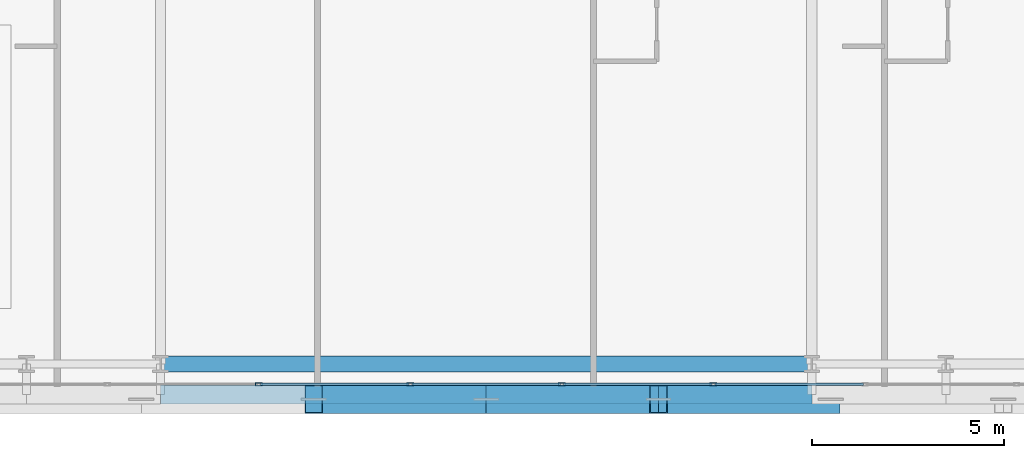
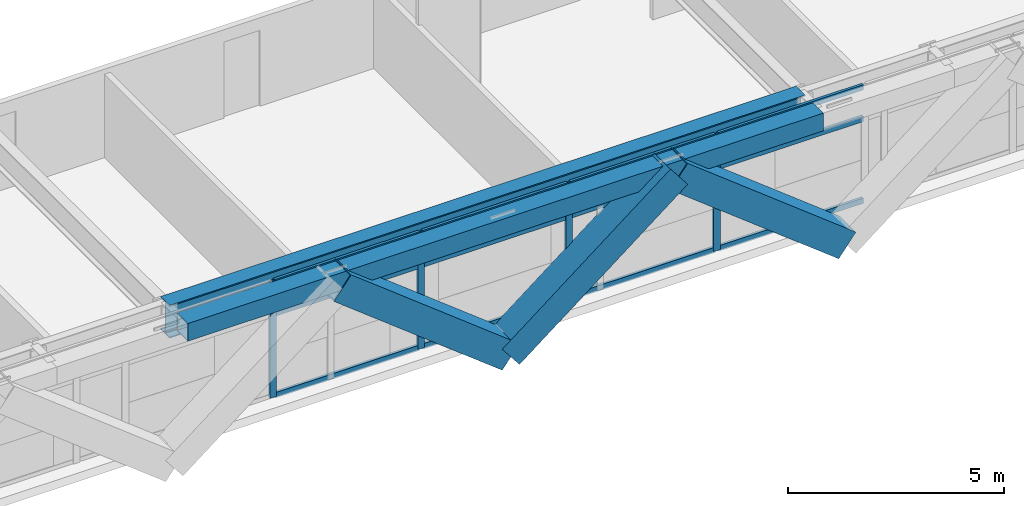
# One storey, part 5 of 36: 19 members, 2 beams, 1 element without a shape of its own.
"""IFC4 building model written with IfcOpenShell, lengths in metres."""

from ifc_helpers import new_model, si_unit, direction, frame, origin, origin_2d, place, context, subcontext, project, spatial, hollow_rectangle, i_section, extrude, source, transform, mapped, material, layer, layer_set, material_profile, profile_set, type_object, element, aggregate, save


model = new_model("IFC4")

# Units and contexts
model_context = context("Model", 3, precision=1e-05, world=origin(), true_north=direction((0.0, 1.0)))
body_context = subcontext(model_context, "Body", "Model", "MODEL_VIEW")
ifc_project = project(units=[si_unit("LENGTHUNIT", "METRE"), si_unit("AREAUNIT", "SQUARE_METRE"), si_unit("VOLUMEUNIT", "CUBIC_METRE"), si_unit("PLANEANGLEUNIT", "RADIAN"), si_unit("MASSUNIT", "GRAM", prefix="KILO")], contexts=[model_context])

# Site, building, storey
site_placement = place(None, origin())
site = spatial("IfcSite", under=ifc_project, at=site_placement, CompositionType="ELEMENT")
building_placement = place(site_placement, origin())
building = spatial("IfcBuilding", under=site, at=building_placement, Name="Ocotamira Hotel", CompositionType="ELEMENT")
storey_placement = place(building_placement, frame((0.0, 0.0, 147.60009765625)))
storey = spatial("IfcBuildingStorey", under=building, at=storey_placement, Name="L37", CompositionType="ELEMENT", Elevation=147.60009765625)

# Beams
ifc_material_1 = material(Name="Steel ASTM A992 Grade 50", Category="steel")
ifc_material_profile_1 = material_profile(ifc_material_1, i_section(OverallWidth=0.41796875, OverallDepth=0.927001953125, WebThickness=0.019287109375, FlangeThickness=0.031982421875, FilletRadius=0.02392578125, at=origin_2d()), Name="W36X231")
ifc_profile_set_1 = profile_set([ifc_material_profile_1], Name="Steel ASTM A992 Grade 50")
beam_type_1 = type_object("IfcBeamType", Name="BM-GIRD-W36X231", PredefinedType="BEAM", material=ifc_profile_set_1)
shared_shape_1 = source(origin(), body_context, "Body", "SweptSolid", [
    extrude(i_section(OverallWidth=0.41796875, OverallDepth=0.927001953125, WebThickness=0.019287109375, FlangeThickness=0.031982421875, FilletRadius=0.02392578125, at=origin_2d()), origin(), (0.0, 0.0, 1.0), 17.0),
])
beam_1_placement = place(storey_placement, frame((23.5, 2.949951171875, 2.81640625), z_axis=(1.0, 0.0, 0.0), x_axis=(0.0, 1.0, 0.0)))
element("IfcBeam", 1, at=beam_1_placement, inside=storey, type_object=beam_type_1, Name="L37 Girder Y2.95 X23.5-40.5", PredefinedType="BEAM", context=body_context, shape_type="MappedRepresentation", body=[
    mapped(shared_shape_1, transform((0.0, 0.0, 0.0), scale=1.0)),
])
ifc_material_2 = material(Name="Steel ASTM A500 Grade C", Category="steel")
ifc_material_profile_2 = material_profile(ifc_material_2, hollow_rectangle(XDim=0.5, YDim=0.5, WallThickness=0.02001953125, at=origin_2d()), Name="HSS500X500X20")
ifc_profile_set_2 = profile_set([ifc_material_profile_2], Name="Steel ASTM A500 Grade C")
beam_type_2 = type_object("IfcBeamType", Name="BM-SPAN-HSS500", PredefinedType="USERDEFINED", material=ifc_profile_set_2)
shared_shape_2 = source(origin(), body_context, "Body", "SweptSolid", [
    extrude(hollow_rectangle(XDim=0.5, YDim=0.5, WallThickness=0.02001953125, at=origin_2d()), origin(), (0.0, 0.0, 1.0), 17.0),
])
beam_2_placement = place(storey_placement, frame((23.5, 2.14990234375, 3.02978515625), z_axis=(1.0, 0.0, 0.0), x_axis=(0.0, 1.0, 0.0)))
element("IfcBeam", 2, at=beam_2_placement, inside=storey, type_object=beam_type_2, Name="L37 Edge Spandrel S X23.5-40.5", ObjectType="SPANDREL", PredefinedType="USERDEFINED", context=body_context, shape_type="MappedRepresentation", body=[
    mapped(shared_shape_2, transform((0.0, 0.0, 0.0), scale=1.0)),
])

# Members
ifc_material_3 = material(Name="Pale-metal coated steel ASTM A913 Grade 65", Category="steel")
ifc_material_profile_3 = material_profile(ifc_material_3, hollow_rectangle(XDim=0.75, YDim=0.75, WallThickness=0.028076171875, at=origin_2d()), Name="BOX750X750X28")
ifc_profile_set_3 = profile_set([ifc_material_profile_3], Name="Pale-metal coated steel ASTM A913 Grade 65")
member_type_1 = type_object("IfcMemberType", Name="MEM-EXO-BOX750", PredefinedType="BRACE", material=ifc_profile_set_3)
shared_shape_3 = source(origin(), body_context, "Body", "SweptSolid", [
    extrude(hollow_rectangle(XDim=0.75, YDim=0.75, WallThickness=0.028076171875, at=origin_2d()), origin(), (0.0, 0.0, 1.0), 5.713134765625),
])
for number, where, z_axis, x_axis, name in (
    (3, (32.0, 2.030029296875, -0.489990234375), (-0.787671799809, 0.0, 0.616095070412), (0.0, -1.0, 0.0), "L37 Exoskeleton Diagrid S1.2"),
    (4, (32.0, 2.030029296875, -0.489990234375), (0.787671799809, 0.0, 0.616095070412), (0.0, 1.0, 0.0), "L37 Exoskeleton Diagrid S2.1"),
    (5, (41.0, 2.030029296875, -0.489990234375), (-0.787671799809, 0.0, 0.616095070412), (0.0, -1.0, 0.0), "L37 Exoskeleton Diagrid S2.2"),
):
    element("IfcMember", number, at=place(storey_placement, frame(where, z_axis=z_axis, x_axis=x_axis)), inside=storey, type_object=member_type_1, Name=name, PredefinedType="BRACE", context=body_context, shape_type="MappedRepresentation", body=[
        mapped(shared_shape_3, transform((0.0, 0.0, 0.0), scale=1.0)),
    ])

# Curtain wall, members
ifc_material_4 = material(Name="Anodised pale-metal aluminium and solar glass", Category="aluminium")
ifc_layer = layer(ifc_material_4, 0.179931640625)
ifc_layer_set = layer_set([ifc_layer], Name="Anodised pale-metal aluminium and solar glass")
curtain_wall_type = type_object("IfcCurtainWallType", Name="CW-SYS3-Z2", PredefinedType="NOTDEFINED", material=ifc_layer_set)
curtain_wall_placement = place(storey_placement, origin())
curtain_wall = element("IfcCurtainWall", 6, at=curtain_wall_placement, inside=storey, type_object=curtain_wall_type, Name="L37 Curtain Wall CW-3 CW-L37-S1", PredefinedType="NOTDEFINED")
ifc_material_5 = material(Name="Anodised pale-metal aluminium 6063-T6", Category="aluminium")
ifc_material_profile_4 = material_profile(ifc_material_5, hollow_rectangle(XDim=0.074951171875, YDim=0.14990234375, WallThickness=0.006103515625, at=origin_2d()), Name="HSS150X75X6")
ifc_profile_set_4 = profile_set([ifc_material_profile_4], Name="Anodised pale-metal aluminium 6063-T6")
member_type_2 = type_object("IfcMemberType", Name="CWT-150X75", PredefinedType="USERDEFINED", material=ifc_profile_set_4)
shared_shape_4 = source(origin(), body_context, "Body", "SweptSolid", [
    extrude(hollow_rectangle(XDim=0.074951171875, YDim=0.14990234375, WallThickness=0.006103515625, at=origin_2d()), origin(), (0.0, 0.0, 1.0), 3.87548828125),
])
member_1_placement = place(storey_placement, frame((26.106689453125, 2.419921875, 0.037353515625), z_axis=(1.0, 0.0, 0.0), x_axis=(0.0, 1.0, 0.0)))
member_1 = element("IfcMember", 7, at=member_1_placement, type_object=member_type_2, Name="CW-3 transom 4.1", ObjectType="TRANSOM", PredefinedType="USERDEFINED", context=body_context, shape_type="MappedRepresentation", body=[
    mapped(shared_shape_4, transform((0.0, 0.0, 0.0), scale=1.0)),
])
member_2_placement = place(storey_placement, frame((26.106689453125, 2.419921875, 2.349853515625), z_axis=(1.0, 0.0, 0.0), x_axis=(0.0, 1.0, 0.0)))
member_2 = element("IfcMember", 8, at=member_2_placement, type_object=member_type_2, Name="CW-3 transom 4.2", ObjectType="TRANSOM", PredefinedType="USERDEFINED", context=body_context, shape_type="MappedRepresentation", body=[
    mapped(shared_shape_4, transform((0.0, 0.0, 0.0), scale=1.0)),
])
member_3_placement = place(storey_placement, frame((26.106689453125, 2.419921875, 3.242431640625), z_axis=(1.0, 0.0, 0.0), x_axis=(0.0, 1.0, 0.0)))
member_3 = element("IfcMember", 9, at=member_3_placement, type_object=member_type_2, Name="CW-3 transom 4.3", ObjectType="TRANSOM", PredefinedType="USERDEFINED", context=body_context, shape_type="MappedRepresentation", body=[
    mapped(shared_shape_4, transform((0.0, 0.0, 0.0), scale=1.0)),
])
member_4_placement = place(storey_placement, frame((30.062255859375, 2.419921875, 0.037353515625), z_axis=(1.0, 0.0, 0.0), x_axis=(0.0, 1.0, 0.0)))
member_4 = element("IfcMember", 10, at=member_4_placement, type_object=member_type_2, Name="CW-3 transom 5.1", ObjectType="TRANSOM", PredefinedType="USERDEFINED", context=body_context, shape_type="MappedRepresentation", body=[
    mapped(shared_shape_4, transform((0.0, 0.0, 0.0), scale=1.0)),
])
member_5_placement = place(storey_placement, frame((30.062255859375, 2.419921875, 2.349853515625), z_axis=(1.0, 0.0, 0.0), x_axis=(0.0, 1.0, 0.0)))
member_5 = element("IfcMember", 11, at=member_5_placement, type_object=member_type_2, Name="CW-3 transom 5.2", ObjectType="TRANSOM", PredefinedType="USERDEFINED", context=body_context, shape_type="MappedRepresentation", body=[
    mapped(shared_shape_4, transform((0.0, 0.0, 0.0), scale=1.0)),
])
member_6_placement = place(storey_placement, frame((30.062255859375, 2.419921875, 3.242431640625), z_axis=(1.0, 0.0, 0.0), x_axis=(0.0, 1.0, 0.0)))
member_6 = element("IfcMember", 12, at=member_6_placement, type_object=member_type_2, Name="CW-3 transom 5.3", ObjectType="TRANSOM", PredefinedType="USERDEFINED", context=body_context, shape_type="MappedRepresentation", body=[
    mapped(shared_shape_4, transform((0.0, 0.0, 0.0), scale=1.0)),
])
member_7_placement = place(storey_placement, frame((34.017822265625, 2.419921875, 0.037353515625), z_axis=(1.0, 0.0, 0.0), x_axis=(0.0, 1.0, 0.0)))
member_7 = element("IfcMember", 13, at=member_7_placement, type_object=member_type_2, Name="CW-3 transom 6.1", ObjectType="TRANSOM", PredefinedType="USERDEFINED", context=body_context, shape_type="MappedRepresentation", body=[
    mapped(shared_shape_4, transform((0.0, 0.0, 0.0), scale=1.0)),
])
member_8_placement = place(storey_placement, frame((34.017822265625, 2.419921875, 2.349853515625), z_axis=(1.0, 0.0, 0.0), x_axis=(0.0, 1.0, 0.0)))
member_8 = element("IfcMember", 14, at=member_8_placement, type_object=member_type_2, Name="CW-3 transom 6.2", ObjectType="TRANSOM", PredefinedType="USERDEFINED", context=body_context, shape_type="MappedRepresentation", body=[
    mapped(shared_shape_4, transform((0.0, 0.0, 0.0), scale=1.0)),
])
member_9_placement = place(storey_placement, frame((34.017822265625, 2.419921875, 3.242431640625), z_axis=(1.0, 0.0, 0.0), x_axis=(0.0, 1.0, 0.0)))
member_9 = element("IfcMember", 15, at=member_9_placement, type_object=member_type_2, Name="CW-3 transom 6.3", ObjectType="TRANSOM", PredefinedType="USERDEFINED", context=body_context, shape_type="MappedRepresentation", body=[
    mapped(shared_shape_4, transform((0.0, 0.0, 0.0), scale=1.0)),
])
member_10_placement = place(storey_placement, frame((37.973388671875, 2.419921875, 0.037353515625), z_axis=(1.0, 0.0, 0.0), x_axis=(0.0, 1.0, 0.0)))
member_10 = element("IfcMember", 16, at=member_10_placement, type_object=member_type_2, Name="CW-3 transom 7.1", ObjectType="TRANSOM", PredefinedType="USERDEFINED", context=body_context, shape_type="MappedRepresentation", body=[
    mapped(shared_shape_4, transform((0.0, 0.0, 0.0), scale=1.0)),
])
member_11_placement = place(storey_placement, frame((37.973388671875, 2.419921875, 2.349853515625), z_axis=(1.0, 0.0, 0.0), x_axis=(0.0, 1.0, 0.0)))
member_11 = element("IfcMember", 17, at=member_11_placement, type_object=member_type_2, Name="CW-3 transom 7.2", ObjectType="TRANSOM", PredefinedType="USERDEFINED", context=body_context, shape_type="MappedRepresentation", body=[
    mapped(shared_shape_4, transform((0.0, 0.0, 0.0), scale=1.0)),
])
member_12_placement = place(storey_placement, frame((37.973388671875, 2.419921875, 3.242431640625), z_axis=(1.0, 0.0, 0.0), x_axis=(0.0, 1.0, 0.0)))
member_12 = element("IfcMember", 18, at=member_12_placement, type_object=member_type_2, Name="CW-3 transom 7.3", ObjectType="TRANSOM", PredefinedType="USERDEFINED", context=body_context, shape_type="MappedRepresentation", body=[
    mapped(shared_shape_4, transform((0.0, 0.0, 0.0), scale=1.0)),
])
ifc_material_profile_5 = material_profile(ifc_material_5, hollow_rectangle(XDim=0.080078125, YDim=0.179931640625, WallThickness=0.006103515625, at=origin_2d()), Name="HSS180X80X6")
ifc_profile_set_5 = profile_set([ifc_material_profile_5], Name="Anodised pale-metal aluminium 6063-T6")
member_type_3 = type_object("IfcMemberType", Name="CWM-180X75", PredefinedType="MULLION", material=ifc_profile_set_5)
shared_shape_5 = source(origin(), body_context, "Body", "SweptSolid", [
    extrude(hollow_rectangle(XDim=0.080078125, YDim=0.179931640625, WallThickness=0.006103515625, at=origin_2d()), origin(), (0.0, 0.0, 1.0), 3.27978515625),
])
member_13_placement = place(storey_placement, frame((26.066650390625, 2.419921875, 0.0), z_axis=(0.0, 0.0, 1.0), x_axis=(0.0, 1.0, 0.0)))
member_13 = element("IfcMember", 19, at=member_13_placement, type_object=member_type_3, Name="CW-3 mullion 4", PredefinedType="MULLION", context=body_context, shape_type="MappedRepresentation", body=[
    mapped(shared_shape_5, transform((0.0, 0.0, 0.0), scale=1.0)),
])
member_14_placement = place(storey_placement, frame((30.022216796875, 2.419921875, 0.0), z_axis=(0.0, 0.0, 1.0), x_axis=(0.0, 1.0, 0.0)))
member_14 = element("IfcMember", 20, at=member_14_placement, type_object=member_type_3, Name="CW-3 mullion 5", PredefinedType="MULLION", context=body_context, shape_type="MappedRepresentation", body=[
    mapped(shared_shape_5, transform((0.0, 0.0, 0.0), scale=1.0)),
])
member_15_placement = place(storey_placement, frame((33.977783203125, 2.419921875, 0.0), z_axis=(0.0, 0.0, 1.0), x_axis=(0.0, 1.0, 0.0)))
member_15 = element("IfcMember", 21, at=member_15_placement, type_object=member_type_3, Name="CW-3 mullion 6", PredefinedType="MULLION", context=body_context, shape_type="MappedRepresentation", body=[
    mapped(shared_shape_5, transform((0.0, 0.0, 0.0), scale=1.0)),
])
member_16_placement = place(storey_placement, frame((37.933349609375, 2.419921875, 0.0), z_axis=(0.0, 0.0, 1.0), x_axis=(0.0, 1.0, 0.0)))
member_16 = element("IfcMember", 22, at=member_16_placement, type_object=member_type_3, Name="CW-3 mullion 7", PredefinedType="MULLION", context=body_context, shape_type="MappedRepresentation", body=[
    mapped(shared_shape_5, transform((0.0, 0.0, 0.0), scale=1.0)),
])
aggregate(curtain_wall, [member_13, member_14, member_15, member_16, member_1, member_2, member_3, member_4, member_5, member_6, member_7, member_8, member_9, member_10, member_11, member_12])

save(model, "model.ifc")
